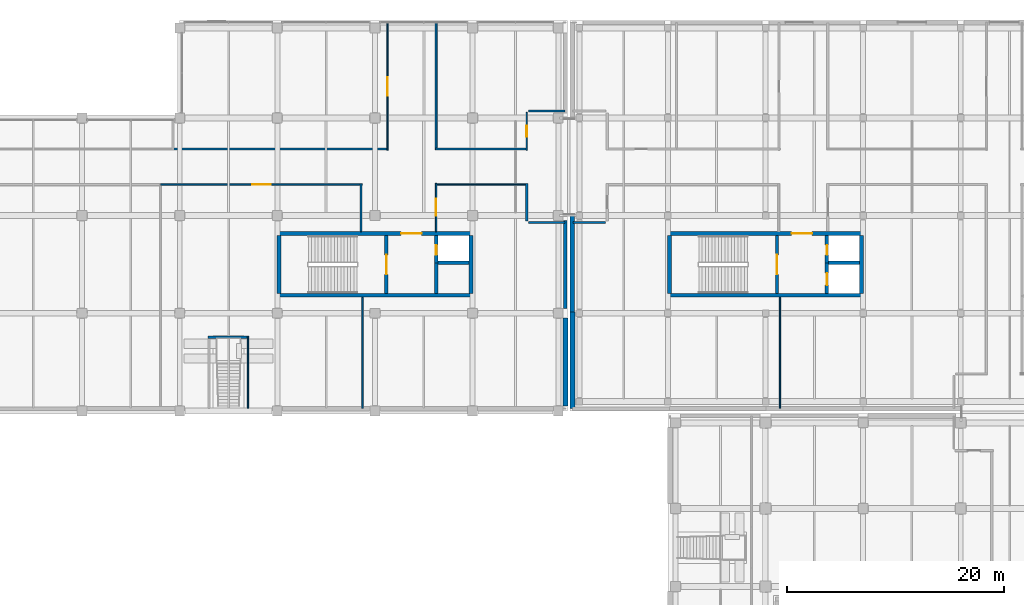
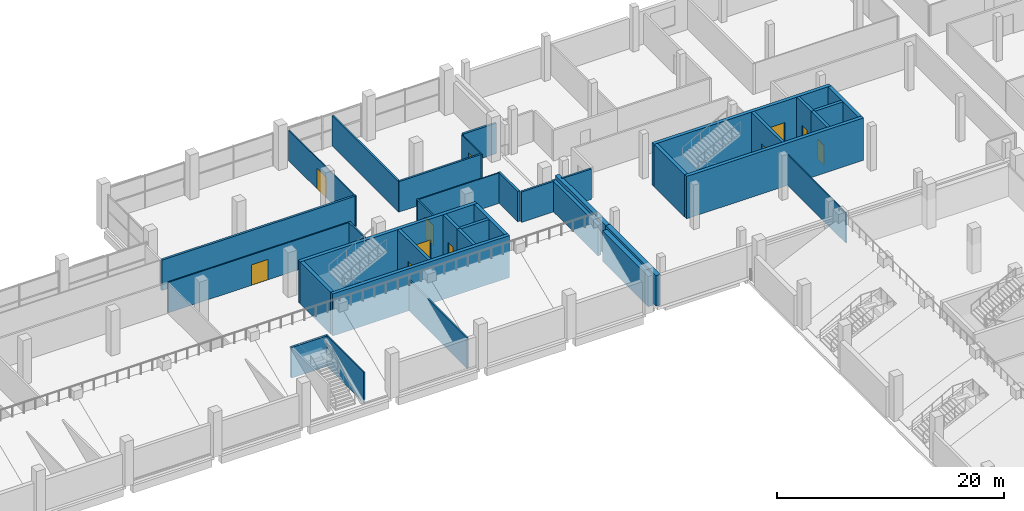
# One storey, part 69 of 100: 37 walls, 11 doors, 11 openings.
"""IFC4 building model written with IfcOpenShell, lengths in metres."""

from ifc_helpers import new_model, si_unit, direction, frame, frame_2d, origin, place, context, subcontext, project, spatial, rectangle, extrude, material, layer, layer_set, type_object, element, fill, save


model = new_model("IFC4")

# Units and contexts
model_context = context("Model", 3, precision=1e-05, world=origin(), true_north=direction((0.0, 1.0)))
body_context = subcontext(model_context, "Body", "Model", "MODEL_VIEW")
ifc_project = project(units=[si_unit("LENGTHUNIT", "METRE"), si_unit("AREAUNIT", "SQUARE_METRE"), si_unit("VOLUMEUNIT", "CUBIC_METRE"), si_unit("PLANEANGLEUNIT", "RADIAN"), si_unit("MASSUNIT", "GRAM", prefix="KILO"), si_unit("THERMODYNAMICTEMPERATUREUNIT", "KELVIN"), si_unit("POWERUNIT", "WATT")], contexts=[model_context])

# Site, building, storey
site_placement = place(None, origin())
site = spatial("IfcSite", under=ifc_project, at=site_placement, CompositionType="ELEMENT")
building_placement = place(site_placement, origin())
building = spatial("IfcBuilding", under=site, at=building_placement, Name="Sindhuravela Promenade Stadium", CompositionType="ELEMENT")
storey_placement = place(building_placement, frame((0.0, 0.0, 4.800048828125)))
storey = spatial("IfcBuildingStorey", under=building, at=storey_placement, Name="L01", CompositionType="ELEMENT", Elevation=4.800048828125)

# Walls
ifc_material_1 = material(Name="Terracotta clay brick masonry (15 MPa)", Category="masonry")
ifc_layer_1 = layer(ifc_material_1, 0.340087890625)
ifc_layer_set_1 = layer_set([ifc_layer_1], Name="Terracotta clay brick masonry (15 MPa)")
wall_type_1 = type_object("IfcWallType", Name="EX-WL-BRK340", PredefinedType="SOLIDWALL", material=ifc_layer_set_1)
wall_1_placement = place(storey_placement, frame((161.550048828125, 143.544921875, 0.0), z_axis=(0.0, 0.0, 1.0), x_axis=(0.0, -1.0, 0.0)))
element("IfcWall", 1, at=wall_1_placement, inside=storey, type_object=wall_type_1, Name="Exterior masonry wall EW06 NORTH L01", PredefinedType="SOLIDWALL", context=body_context, shape_type="SweptSolid", body=[
    extrude(rectangle(XDim=8.08984375, YDim=0.340087890625, at=frame_2d((4.044921875, 0.0))), origin(), (0.0, 0.0, 1.0), 3.280029296875),
])
ifc_layer_2 = layer(ifc_material_1, 0.419921875)
ifc_layer_set_2 = layer_set([ifc_layer_2], Name="Terracotta clay brick masonry (15 MPa)")
wall_type_2 = type_object("IfcWallType", Name="EX-WL-BRK420", PredefinedType="SOLIDWALL", material=ifc_layer_set_2)
wall_2_placement = place(storey_placement, frame((162.199951171875, 135.10009765625, 0.0), z_axis=(0.0, 0.0, 1.0), x_axis=(0.0, 1.0, 0.0)))
element("IfcWall", 2, at=wall_2_placement, inside=storey, type_object=wall_type_2, Name="Exterior masonry wall EW02 Pavilion NE L01", PredefinedType="SOLIDWALL", context=body_context, shape_type="SweptSolid", body=[
    extrude(rectangle(XDim=8.89990234375, YDim=0.419921875, at=frame_2d((4.449951171875, 0.0))), origin(), (0.0, 0.0, 1.0), 3.280029296875),
])
ifc_layer_3 = layer(ifc_material_1, 0.4599609375)
ifc_layer_set_3 = layer_set([ifc_layer_3], Name="Terracotta clay brick masonry (15 MPa)")
wall_type_3 = type_object("IfcWallType", Name="EX-WL-BRK460", PredefinedType="SOLIDWALL", material=ifc_layer_set_3)
wall_3_placement = place(storey_placement, frame((161.550048828125, 134.544921875, 0.0), z_axis=(0.0, 0.0, 1.0), x_axis=(0.0, -1.0, 0.0)))
element("IfcWall", 3, at=wall_3_placement, inside=storey, type_object=wall_type_3, Name="Exterior masonry wall EW01 NORTH L01", PredefinedType="SOLIDWALL", context=body_context, shape_type="SweptSolid", body=[
    extrude(rectangle(XDim=8.08984375, YDim=0.4599609375, at=frame_2d((4.044921875, 0.0))), origin(), (0.0, 0.0, 1.0), 3.280029296875),
])
wall_4_placement = place(storey_placement, frame((162.199951171875, 126.199951171875, 0.0), z_axis=(0.0, 0.0, 1.0), x_axis=(0.0, 1.0, 0.0)))
element("IfcWall", 4, at=wall_4_placement, inside=storey, type_object=wall_type_3, Name="Exterior masonry wall EW01 Pavilion NE L01", PredefinedType="SOLIDWALL", context=body_context, shape_type="SweptSolid", body=[
    extrude(rectangle(XDim=8.900146484375, YDim=0.4599609375, at=frame_2d((4.4501953125, 0.0))), origin(), (0.0, 0.0, 1.0), 3.280029296875),
])
ifc_material_2 = material(Name="Fire-rated gypsum partition board", Category="gypsum")
ifc_layer_4 = layer(ifc_material_2, 0.110107421875)
ifc_layer_set_4 = layer_set([ifc_layer_4], Name="Fire-rated gypsum partition board")
wall_type_4 = type_object("IfcWallType", Name="IN-WL-PAR110", PredefinedType="PARTITIONING", material=ifc_layer_set_4)
wall_5_placement = place(storey_placement, frame((132.300048828125, 126.239990234375, 0.0), z_axis=(0.0, 0.0, 1.0), x_axis=(0.0, 1.0, 0.0)))
element("IfcWall", 5, at=wall_5_placement, inside=storey, type_object=wall_type_4, Name="Interior partition IW06 NORTH L01", PredefinedType="PARTITIONING", context=body_context, shape_type="SweptSolid", body=[
    extrude(rectangle(XDim=6.639892578125, YDim=0.110107421875, at=frame_2d((3.31982421875, 0.0))), origin(), (0.0, 0.0, 1.0), 3.280029296875),
])
wall_6_placement = place(storey_placement, frame((149.56005859375, 146.860107421875, 0.0), z_axis=(0.0, 0.0, 1.0), x_axis=(1.0, 0.0, 0.0)))
element("IfcWall", 6, at=wall_6_placement, inside=storey, type_object=wall_type_4, Name="Interior partition IW06 NORTH L01", PredefinedType="PARTITIONING", context=body_context, shape_type="SweptSolid", body=[
    extrude(rectangle(XDim=8.510009765625, YDim=0.110107421875, at=frame_2d((4.2548828125, 0.0))), origin(), (0.0, 0.0, 1.0), 3.280029296875),
])

# Wall, opening, door
wall_7_placement = place(storey_placement, frame((145.159912109375, 150.02001953125, 0.0), z_axis=(0.0, 0.0, 1.0), x_axis=(0.0, 1.0, 0.0)))
wall_7 = element("IfcWall", 7, at=wall_7_placement, inside=storey, type_object=wall_type_4, Name="Corridor partition IW06 Accessible WC North L01", PredefinedType="PARTITIONING", context=body_context, shape_type="SweptSolid", body=[
    extrude(rectangle(XDim=11.780029296875, YDim=0.110107421875, at=frame_2d((5.89013671875, 0.0))), origin(), (0.0, 0.0, 1.0), 3.280029296875),
])
opening_1_placement = place(wall_7_placement, frame((5.0400390625, 0.0, 0.0)))
opening_1 = element("IfcOpeningElement", 8, at=opening_1_placement, cuts=wall_7, Name="Opening ID01", PredefinedType="OPENING", context=body_context, shape_type="SweptSolid", body=[
    extrude(rectangle(XDim=1.699951171875, YDim=2.199951171875, at=frame_2d((0.85009765625, 1.10009765625))), frame((0.0, 0.06494140625, 0.0), z_axis=(0.0, -1.0, 0.0), x_axis=(1.0, 0.0, 0.0)), (0.0, 0.0, 1.0), 0.130126953125),
])
ifc_material_3 = material(Name="Architectural teak timber leaf", Category="wood")
door_type_1 = type_object("IfcDoorType", Name="DR-INT-1700x2200", OperationType="DOUBLE_DOOR_SINGLE_SWING", PredefinedType="DOOR", material=ifc_material_3)
door_1_placement = place(opening_1_placement, origin())
door_1 = element("IfcDoor", 9, at=door_1_placement, inside=storey, type_object=door_type_1, Name="Accessible WC North L01 door", OperationType="DOUBLE_DOOR_SINGLE_SWING", OverallHeight=2.199951171875, OverallWidth=1.699951171875, PredefinedType="DOOR", context=body_context, shape_type="SweptSolid", body=[
    extrude(rectangle(XDim=1.699951171875, YDim=2.199951171875, at=frame_2d((0.85009765625, 1.10009765625))), frame((0.0, 0.02490234375, 0.0), z_axis=(0.0, -1.0, 0.0), x_axis=(1.0, 0.0, 0.0)), (0.0, 0.0, 1.0), 0.050048828125),
])
fill(opening_1, door_1)

wall_8_placement = place(storey_placement, frame((157.989990234375, 150.02001953125, 0.0), z_axis=(0.0, 0.0, 1.0), x_axis=(0.0, 1.0, 0.0)))
wall_8 = element("IfcWall", 10, at=wall_8_placement, inside=storey, type_object=wall_type_4, Name="Corridor partition IW06 North Lower Concourse Hall 2", PredefinedType="PARTITIONING", context=body_context, shape_type="SweptSolid", body=[
    extrude(rectangle(XDim=3.5, YDim=0.110107421875, at=frame_2d((1.75, 0.0))), origin(), (0.0, 0.0, 1.0), 3.280029296875),
])
opening_2_placement = place(wall_8_placement, frame((1.25, 0.0, 0.0)))
opening_2 = element("IfcOpeningElement", 11, at=opening_2_placement, cuts=wall_8, Name="Opening ID08", PredefinedType="OPENING", context=body_context, shape_type="SweptSolid", body=[
    extrude(rectangle(XDim=1.0, YDim=2.10009765625, at=frame_2d((0.5, 1.050048828125))), frame((0.0, 0.06494140625, 0.0), z_axis=(0.0, -1.0, 0.0), x_axis=(1.0, 0.0, 0.0)), (0.0, 0.0, 1.0), 0.130126953125),
])
door_type_2 = type_object("IfcDoorType", Name="DR-INT-1000x2100", OperationType="NOTDEFINED", PredefinedType="DOOR", material=ifc_material_3)
door_2_placement = place(opening_2_placement, origin())
door_2 = element("IfcDoor", 12, at=door_2_placement, inside=storey, type_object=door_type_2, Name="North Lower Concourse Hall 2 door", OperationType="SINGLE_SWING_RIGHT", OverallHeight=2.10009765625, OverallWidth=1.0, PredefinedType="DOOR", context=body_context, shape_type="SweptSolid", body=[
    extrude(rectangle(XDim=1.0, YDim=2.10009765625, at=frame_2d((0.5, 1.050048828125))), frame((0.0, 0.02490234375, 0.0), z_axis=(0.0, -1.0, 0.0), x_axis=(1.0, 0.0, 0.0)), (0.0, 0.0, 1.0), 0.050048828125),
])
fill(opening_2, door_2)

# Wall
wall_9_placement = place(storey_placement, frame((181.340087890625, 126.239990234375, 0.0), z_axis=(0.0, 0.0, 1.0), x_axis=(0.0, 1.0, 0.0)))
element("IfcWall", 13, at=wall_9_placement, inside=storey, type_object=wall_type_4, Name="Interior partition IW06 Pavilion NE L01", PredefinedType="PARTITIONING", context=body_context, shape_type="SweptSolid", body=[
    extrude(rectangle(XDim=10.23291015625, YDim=0.110107421875, at=frame_2d((5.116455078125, 0.0))), origin(), (0.0, 0.0, 1.0), 3.280029296875),
])

# Wall, opening, door
ifc_layer_5 = layer(ifc_material_2, 0.1298828125)
ifc_layer_set_5 = layer_set([ifc_layer_5], Name="Fire-rated gypsum partition board")
wall_type_5 = type_object("IfcWallType", Name="IN-WL-PAR130", PredefinedType="PARTITIONING", material=ifc_layer_set_5)
wall_10_placement = place(storey_placement, frame((142.833251953125, 146.860107421875, 0.0), z_axis=(0.0, 0.0, 1.0), x_axis=(-1.0, 0.0, 0.0)))
wall_10 = element("IfcWall", 14, at=wall_10_placement, inside=storey, type_object=wall_type_5, Name="Corridor partition IW05 Concourse Beverage Kiosk North B", PredefinedType="PARTITIONING", context=body_context, shape_type="SweptSolid", body=[
    extrude(rectangle(XDim=18.596435546875, YDim=0.1298828125, at=frame_2d((9.29833984375, 0.0))), origin(), (0.0, 0.0, 1.0), 3.280029296875),
])
opening_3_placement = place(wall_10_placement, frame((8.4482421875, 0.0, 0.0)))
opening_3 = element("IfcOpeningElement", 15, at=opening_3_placement, cuts=wall_10, Name="Opening ID01", PredefinedType="OPENING", context=body_context, shape_type="SweptSolid", body=[
    extrude(rectangle(XDim=1.699951171875, YDim=2.199951171875, at=frame_2d((0.85009765625, 1.10009765625))), frame((0.0, 0.074951171875, 0.0), z_axis=(0.0, -1.0, 0.0), x_axis=(1.0, 0.0, 0.0)), (0.0, 0.0, 1.0), 0.14990234375),
])
door_3_placement = place(opening_3_placement, origin())
door_3 = element("IfcDoor", 16, at=door_3_placement, inside=storey, type_object=door_type_1, Name="Concourse Beverage Kiosk North B door", OperationType="DOUBLE_DOOR_SINGLE_SWING", OverallHeight=2.199951171875, OverallWidth=1.699951171875, PredefinedType="DOOR", context=body_context, shape_type="SweptSolid", body=[
    extrude(rectangle(XDim=1.699951171875, YDim=2.199951171875, at=frame_2d((0.85009765625, 1.10009765625))), frame((0.0, 0.02490234375, 0.0), z_axis=(0.0, -1.0, 0.0), x_axis=(1.0, 0.0, 0.0)), (0.0, 0.0, 1.0), 0.050048828125),
])
fill(opening_3, door_3)

wall_11_placement = place(storey_placement, frame((149.639892578125, 146.97998046875, 0.0), z_axis=(0.0, 0.0, 1.0), x_axis=(0.0, -1.0, 0.0)))
wall_11 = element("IfcWall", 17, at=wall_11_placement, inside=storey, type_object=wall_type_5, Name="Corridor partition IW05 North Family Supporters Lounge", PredefinedType="PARTITIONING", context=body_context, shape_type="SweptSolid", body=[
    extrude(rectangle(XDim=4.452880859375, YDim=0.1298828125, at=frame_2d((2.2265625, 0.0))), origin(), (0.0, 0.0, 1.0), 3.280029296875),
])
opening_4_placement = place(wall_11_placement, frame((1.425048828125, 0.0, 0.0)))
opening_4 = element("IfcOpeningElement", 18, at=opening_4_placement, cuts=wall_11, Name="Opening ID02", PredefinedType="OPENING", context=body_context, shape_type="SweptSolid", body=[
    extrude(rectangle(XDim=1.550048828125, YDim=2.199951171875, at=frame_2d((0.77490234375, 1.10009765625))), frame((0.0, 0.074951171875, 0.0), z_axis=(0.0, -1.0, 0.0), x_axis=(1.0, 0.0, 0.0)), (0.0, 0.0, 1.0), 0.14990234375),
])
door_type_3 = type_object("IfcDoorType", Name="DR-INT-1550x2200", OperationType="DOUBLE_DOOR_SINGLE_SWING", PredefinedType="DOOR", material=ifc_material_3)
door_4_placement = place(opening_4_placement, origin())
door_4 = element("IfcDoor", 19, at=door_4_placement, inside=storey, type_object=door_type_3, Name="North Family Supporters Lounge door", OperationType="DOUBLE_DOOR_SINGLE_SWING", OverallHeight=2.199951171875, OverallWidth=1.550048828125, PredefinedType="DOOR", context=body_context, shape_type="SweptSolid", body=[
    extrude(rectangle(XDim=1.550048828125, YDim=2.199951171875, at=frame_2d((0.77490234375, 1.10009765625))), frame((0.0, 0.02490234375, 0.0), z_axis=(0.0, -1.0, 0.0), x_axis=(1.0, 0.0, 0.0)), (0.0, 0.0, 1.0), 0.050048828125),
])
fill(opening_4, door_4)

# Walls
ifc_layer_6 = layer(ifc_material_2, 0.14990234375)
ifc_layer_set_6 = layer_set([ifc_layer_6], Name="Fire-rated gypsum partition board")
wall_type_6 = type_object("IfcWallType", Name="IN-WL-PAR150", PredefinedType="PARTITIONING", material=ifc_layer_set_6)
wall_12_placement = place(storey_placement, frame((142.833251953125, 136.472900390625, 0.0), z_axis=(0.0, 0.0, 1.0), x_axis=(0.0, -1.0, 0.0)))
element("IfcWall", 20, at=wall_12_placement, inside=storey, type_object=wall_type_6, Name="Interior partition IW04 NORTH L01", PredefinedType="PARTITIONING", context=body_context, shape_type="SweptSolid", body=[
    extrude(rectangle(XDim=10.23291015625, YDim=0.14990234375, at=frame_2d((5.116455078125, 0.0))), origin(), (0.0, 0.0, 1.0), 3.280029296875),
])
ifc_layer_7 = layer(ifc_material_2, 0.175048828125)
ifc_layer_set_7 = layer_set([ifc_layer_7], Name="Fire-rated gypsum partition board")
wall_type_7 = type_object("IfcWallType", Name="IN-WL-PAR175", PredefinedType="PARTITIONING", material=ifc_layer_set_7)
wall_13_placement = place(storey_placement, frame((142.71337890625, 146.93994140625, 0.0), z_axis=(0.0, 0.0, 1.0), x_axis=(0.0, -1.0, 0.0)))
element("IfcWall", 21, at=wall_13_placement, inside=storey, type_object=wall_type_7, Name="Interior partition IW03 NORTH L01", PredefinedType="PARTITIONING", context=body_context, shape_type="SweptSolid", body=[
    extrude(rectangle(XDim=4.412841796875, YDim=0.175048828125, at=frame_2d((2.20654296875, 0.0))), origin(), (0.0, 0.0, 1.0), 3.280029296875),
])
wall_14_placement = place(storey_placement, frame((149.639892578125, 150.06005859375, 0.0), z_axis=(0.0, 0.0, 1.0), x_axis=(0.0, 1.0, 0.0)))
element("IfcWall", 22, at=wall_14_placement, inside=storey, type_object=wall_type_7, Name="Interior partition IW03 NORTH L01", PredefinedType="PARTITIONING", context=body_context, shape_type="SweptSolid", body=[
    extrude(rectangle(XDim=11.70703125, YDim=0.175048828125, at=frame_2d((5.853515625, 0.0))), origin(), (0.0, 0.0, 1.0), 3.280029296875),
])
ifc_layer_8 = layer(ifc_material_2, 0.195068359375)
ifc_layer_set_8 = layer_set([ifc_layer_8], Name="Fire-rated gypsum partition board")
wall_type_8 = type_object("IfcWallType", Name="IN-WL-PAR195", PredefinedType="PARTITIONING", material=ifc_layer_set_8)
wall_15_placement = place(storey_placement, frame((158.14990234375, 143.360107421875, 0.0), z_axis=(0.0, 0.0, 1.0), x_axis=(1.0, 0.0, 0.0)))
element("IfcWall", 23, at=wall_15_placement, inside=storey, type_object=wall_type_8, Name="Interior partition IW02 NORTH L01", PredefinedType="PARTITIONING", context=body_context, shape_type="SweptSolid", body=[
    extrude(rectangle(XDim=3.360107421875, YDim=0.195068359375, at=frame_2d((1.68017578125, 0.0))), origin(), (0.0, 0.0, 1.0), 3.280029296875),
])
wall_16_placement = place(storey_placement, frame((158.070068359375, 150.139892578125, 0.0), z_axis=(0.0, 0.0, 1.0), x_axis=(-1.0, 0.0, 0.0)))
element("IfcWall", 24, at=wall_16_placement, inside=storey, type_object=wall_type_8, Name="Interior partition IW02 NORTH L01", PredefinedType="PARTITIONING", context=body_context, shape_type="SweptSolid", body=[
    extrude(rectangle(XDim=8.510009765625, YDim=0.195068359375, at=frame_2d((4.2548828125, 0.0))), origin(), (0.0, 0.0, 1.0), 3.280029296875),
])
wall_17_placement = place(storey_placement, frame((162.239990234375, 143.360107421875, 0.0), z_axis=(0.0, 0.0, 1.0), x_axis=(1.0, 0.0, 0.0)))
element("IfcWall", 25, at=wall_17_placement, inside=storey, type_object=wall_type_8, Name="Interior partition IW02 Pavilion NE L01", PredefinedType="PARTITIONING", context=body_context, shape_type="SweptSolid", body=[
    extrude(rectangle(XDim=3.010009765625, YDim=0.195068359375, at=frame_2d((1.5048828125, 0.0))), origin(), (0.0, 0.0, 1.0), 3.280029296875),
])
ifc_layer_9 = layer(ifc_material_2, 0.219970703125)
ifc_layer_set_9 = layer_set([ifc_layer_9], Name="Fire-rated gypsum partition board")
wall_type_9 = type_object("IfcWallType", Name="IN-WL-PAR220", PredefinedType="PARTITIONING", material=ifc_layer_set_9)
wall_18_placement = place(storey_placement, frame((132.3798828125, 132.800048828125, 0.0), z_axis=(0.0, 0.0, 1.0), x_axis=(-1.0, 0.0, 0.0)))
element("IfcWall", 26, at=wall_18_placement, inside=storey, type_object=wall_type_9, Name="Interior partition IW01 NORTH L01", PredefinedType="PARTITIONING", context=body_context, shape_type="SweptSolid", body=[
    extrude(rectangle(XDim=3.759765625, YDim=0.219970703125, at=frame_2d((1.8798828125, 0.0))), origin(), (0.0, 0.0, 1.0), 3.280029296875),
])
wall_19_placement = place(storey_placement, frame((157.989990234375, 146.93994140625, 0.0), z_axis=(0.0, 0.0, 1.0), x_axis=(0.0, -1.0, 0.0)))
element("IfcWall", 27, at=wall_19_placement, inside=storey, type_object=wall_type_9, Name="Interior partition IW01 NORTH L01", PredefinedType="PARTITIONING", context=body_context, shape_type="SweptSolid", body=[
    extrude(rectangle(XDim=3.419921875, YDim=0.219970703125, at=frame_2d((1.7099609375, 0.0))), origin(), (0.0, 0.0, 1.0), 3.280029296875),
])
wall_20_placement = place(storey_placement, frame((145.239990234375, 150.139892578125, 0.0), z_axis=(0.0, 0.0, 1.0), x_axis=(-1.0, 0.0, 0.0)))
element("IfcWall", 28, at=wall_20_placement, inside=storey, type_object=wall_type_9, Name="Interior partition IW01 NORTH L01", PredefinedType="PARTITIONING", context=body_context, shape_type="SweptSolid", body=[
    extrude(rectangle(XDim=19.800048828125, YDim=0.219970703125, at=frame_2d((9.89990234375, 0.0))), origin(), (0.0, 0.0, 1.0), 3.280029296875),
])
wall_21_placement = place(storey_placement, frame((161.510009765625, 153.639892578125, 0.0), z_axis=(0.0, 0.0, 1.0), x_axis=(-1.0, 0.0, 0.0)))
element("IfcWall", 29, at=wall_21_placement, inside=storey, type_object=wall_type_9, Name="Interior partition IW01 NORTH L01", PredefinedType="PARTITIONING", context=body_context, shape_type="SweptSolid", body=[
    extrude(rectangle(XDim=3.360107421875, YDim=0.219970703125, at=frame_2d((1.68017578125, 0.0))), origin(), (0.0, 0.0, 1.0), 3.280029296875),
])

# Wall, opening, door
ifc_material_4 = material(Name="Concrete M50", Category="concrete")
ifc_layer_10 = layer(ifc_material_4, 0.300048828125)
ifc_layer_set_10 = layer_set([ifc_layer_10], Name="Concrete M50")
wall_type_10 = type_object("IfcWallType", Name="RC-SW-300", PredefinedType="SHEAR", material=ifc_layer_set_10)
wall_22_placement = place(storey_placement, frame((145.050048828125, 136.824951171875, 0.0), z_axis=(0.0, 0.0, 1.0), x_axis=(0.0, 1.0, 0.0)))
wall_22 = element("IfcWall", 30, at=wall_22_placement, inside=storey, type_object=wall_type_10, Name="Core shear wall C10-ST (L01)", PredefinedType="SHEAR", context=body_context, shape_type="SweptSolid", body=[
    extrude(rectangle(XDim=5.35009765625, YDim=0.300048828125, at=frame_2d((2.675048828125, 0.0))), origin(), (0.0, 0.0, 1.0), 4.52001953125),
])
opening_5_placement = place(wall_22_placement, frame((1.75, 0.0, 0.0)))
opening_5 = element("IfcOpeningElement", 31, at=opening_5_placement, cuts=wall_22, Name="Opening FD01", PredefinedType="OPENING", context=body_context, shape_type="SweptSolid", body=[
    extrude(rectangle(XDim=1.800048828125, YDim=2.25, at=frame_2d((0.89990234375, 1.125))), frame((0.0, 0.159912109375, 0.0), z_axis=(0.0, -1.0, 0.0), x_axis=(1.0, 0.0, 0.0)), (0.0, 0.0, 1.0), 0.320068359375),
])
ifc_material_5 = material(Name="Architectural wrought steel E350", Category="steel")
door_type_4 = type_object("IfcDoorType", Name="DR-CORE-1800x2250", OperationType="DOUBLE_DOOR_SINGLE_SWING", PredefinedType="DOOR", material=ifc_material_5)
door_5_placement = place(opening_5_placement, origin())
door_5 = element("IfcDoor", 32, at=door_5_placement, inside=storey, type_object=door_type_4, Name="Stair ST10 lobby fire door (L01)", OperationType="DOUBLE_DOOR_SINGLE_SWING", OverallHeight=2.25, OverallWidth=1.800048828125, PredefinedType="DOOR", context=body_context, shape_type="SweptSolid", body=[
    extrude(rectangle(XDim=1.800048828125, YDim=2.25, at=frame_2d((0.89990234375, 1.125))), frame((0.0, 0.02490234375, 0.0), z_axis=(0.0, -1.0, 0.0), x_axis=(1.0, 0.0, 0.0)), (0.0, 0.0, 1.0), 0.050048828125),
])
fill(opening_5, door_5)

# Wall
wall_23_placement = place(storey_placement, frame((149.64990234375, 136.824951171875, 0.0), z_axis=(0.0, 0.0, 1.0), x_axis=(0.0, 1.0, 0.0)))
element("IfcWall", 33, at=wall_23_placement, inside=storey, type_object=wall_type_10, Name="Core shear wall C10-LFT (L01)", PredefinedType="SHEAR", context=body_context, shape_type="SweptSolid", body=[
    extrude(rectangle(XDim=2.824951171875, YDim=0.300048828125, at=frame_2d((1.41259765625, 0.0))), origin(), (0.0, 0.0, 1.0), 4.52001953125),
])

# Wall, opening, door
wall_24_placement = place(storey_placement, frame((149.64990234375, 139.64990234375, 0.0), z_axis=(0.0, 0.0, 1.0), x_axis=(0.0, 1.0, 0.0)))
wall_24 = element("IfcWall", 34, at=wall_24_placement, inside=storey, type_object=wall_type_10, Name="Core shear wall C10-RSR (L01)", PredefinedType="SHEAR", context=body_context, shape_type="SweptSolid", body=[
    extrude(rectangle(XDim=2.525146484375, YDim=0.300048828125, at=frame_2d((1.2626953125, 0.0))), origin(), (0.0, 0.0, 1.0), 4.52001953125),
])
opening_6_placement = place(wall_24_placement, frame((0.72509765625, 0.0, 0.0)))
opening_6 = element("IfcOpeningElement", 35, at=opening_6_placement, cuts=wall_24, Name="Opening FD03", PredefinedType="OPENING", context=body_context, shape_type="SweptSolid", body=[
    extrude(rectangle(XDim=0.89990234375, YDim=2.10009765625, at=frame_2d((0.449951171875, 1.050048828125))), frame((0.0, 0.159912109375, 0.0), z_axis=(0.0, -1.0, 0.0), x_axis=(1.0, 0.0, 0.0)), (0.0, 0.0, 1.0), 0.320068359375),
])
door_type_5 = type_object("IfcDoorType", Name="DR-RSR-900x2100", OperationType="NOTDEFINED", PredefinedType="DOOR", material=ifc_material_5)
door_6_placement = place(opening_6_placement, origin())
door_6 = element("IfcDoor", 36, at=door_6_placement, inside=storey, type_object=door_type_5, Name="Riser shaft access door C10 (L01)", OperationType="SINGLE_SWING_RIGHT", OverallHeight=2.10009765625, OverallWidth=0.89990234375, PredefinedType="DOOR", context=body_context, shape_type="SweptSolid", body=[
    extrude(rectangle(XDim=0.89990234375, YDim=2.10009765625, at=frame_2d((0.449951171875, 1.050048828125))), frame((0.0, 0.02490234375, 0.0), z_axis=(0.0, -1.0, 0.0), x_axis=(1.0, 0.0, 0.0)), (0.0, 0.0, 1.0), 0.050048828125),
])
fill(opening_6, door_6)

# Wall
wall_25_placement = place(storey_placement, frame((149.800048828125, 139.64990234375, 0.0), z_axis=(0.0, 0.0, 1.0), x_axis=(1.0, 0.0, 0.0)))
element("IfcWall", 37, at=wall_25_placement, inside=storey, type_object=wall_type_10, Name="Core shear wall C10-DIV (L01)", PredefinedType="SHEAR", context=body_context, shape_type="SweptSolid", body=[
    extrude(rectangle(XDim=2.875, YDim=0.300048828125, at=frame_2d((1.4375, 0.0))), origin(), (0.0, 0.0, 1.0), 4.52001953125),
])

# Wall, opening, door
wall_26_placement = place(storey_placement, frame((181.050048828125, 136.824951171875, 0.0), z_axis=(0.0, 0.0, 1.0), x_axis=(0.0, 1.0, 0.0)))
wall_26 = element("IfcWall", 38, at=wall_26_placement, inside=storey, type_object=wall_type_10, Name="Core shear wall C16-ST (L01)", PredefinedType="SHEAR", context=body_context, shape_type="SweptSolid", body=[
    extrude(rectangle(XDim=5.35009765625, YDim=0.300048828125, at=frame_2d((2.675048828125, 0.0))), origin(), (0.0, 0.0, 1.0), 4.56494140625),
])
opening_7_placement = place(wall_26_placement, frame((1.75, 0.0, 0.0)))
opening_7 = element("IfcOpeningElement", 39, at=opening_7_placement, cuts=wall_26, Name="Opening FD01", PredefinedType="OPENING", context=body_context, shape_type="SweptSolid", body=[
    extrude(rectangle(XDim=1.800048828125, YDim=2.25, at=frame_2d((0.89990234375, 1.125))), frame((0.0, 0.159912109375, 0.0), z_axis=(0.0, -1.0, 0.0), x_axis=(1.0, 0.0, 0.0)), (0.0, 0.0, 1.0), 0.320068359375),
])
door_7_placement = place(opening_7_placement, origin())
door_7 = element("IfcDoor", 40, at=door_7_placement, inside=storey, type_object=door_type_4, Name="Stair GS04 lobby fire door (L01)", OperationType="DOUBLE_DOOR_SINGLE_SWING", OverallHeight=2.25, OverallWidth=1.800048828125, PredefinedType="DOOR", context=body_context, shape_type="SweptSolid", body=[
    extrude(rectangle(XDim=1.800048828125, YDim=2.25, at=frame_2d((0.89990234375, 1.125))), frame((0.0, 0.02490234375, 0.0), z_axis=(0.0, -1.0, 0.0), x_axis=(1.0, 0.0, 0.0)), (0.0, 0.0, 1.0), 0.050048828125),
])
fill(opening_7, door_7)

wall_27_placement = place(storey_placement, frame((185.64990234375, 136.824951171875, 0.0), z_axis=(0.0, 0.0, 1.0), x_axis=(0.0, 1.0, 0.0)))
wall_27 = element("IfcWall", 41, at=wall_27_placement, inside=storey, type_object=wall_type_10, Name="Core shear wall C16-LFT (L01)", PredefinedType="SHEAR", context=body_context, shape_type="SweptSolid", body=[
    extrude(rectangle(XDim=2.824951171875, YDim=0.300048828125, at=frame_2d((1.41259765625, 0.0))), origin(), (0.0, 0.0, 1.0), 4.56494140625),
])
opening_8_placement = place(wall_27_placement, frame((0.77490234375, 0.0, 0.0)))
opening_8 = element("IfcOpeningElement", 42, at=opening_8_placement, cuts=wall_27, Name="Opening LD", PredefinedType="OPENING", context=body_context, shape_type="SweptSolid", body=[
    extrude(rectangle(XDim=1.10009765625, YDim=2.10009765625, at=frame_2d((0.550048828125, 1.050048828125))), frame((0.0, 0.159912109375, 0.0), z_axis=(0.0, -1.0, 0.0), x_axis=(1.0, 0.0, 0.0)), (0.0, 0.0, 1.0), 0.320068359375),
])
door_type_6 = type_object("IfcDoorType", Name="DR-LFT-1100x2100", OperationType="DOUBLE_DOOR_SLIDING", PredefinedType="DOOR", material=ifc_material_5)
door_8_placement = place(opening_8_placement, origin())
door_8 = element("IfcDoor", 43, at=door_8_placement, inside=storey, type_object=door_type_6, Name="Lift PL08 landing door (L01)", OperationType="DOUBLE_DOOR_SLIDING", OverallHeight=2.10009765625, OverallWidth=1.10009765625, PredefinedType="DOOR", context=body_context, shape_type="SweptSolid", body=[
    extrude(rectangle(XDim=1.10009765625, YDim=2.10009765625, at=frame_2d((0.550048828125, 1.050048828125))), frame((0.0, 0.02490234375, 0.0), z_axis=(0.0, -1.0, 0.0), x_axis=(1.0, 0.0, 0.0)), (0.0, 0.0, 1.0), 0.050048828125),
])
fill(opening_8, door_8)

wall_28_placement = place(storey_placement, frame((185.64990234375, 139.64990234375, 0.0), z_axis=(0.0, 0.0, 1.0), x_axis=(0.0, 1.0, 0.0)))
wall_28 = element("IfcWall", 44, at=wall_28_placement, inside=storey, type_object=wall_type_10, Name="Core shear wall C16-RSR (L01)", PredefinedType="SHEAR", context=body_context, shape_type="SweptSolid", body=[
    extrude(rectangle(XDim=2.525146484375, YDim=0.300048828125, at=frame_2d((1.2626953125, 0.0))), origin(), (0.0, 0.0, 1.0), 4.56494140625),
])
opening_9_placement = place(wall_28_placement, frame((0.72509765625, 0.0, 0.0)))
opening_9 = element("IfcOpeningElement", 45, at=opening_9_placement, cuts=wall_28, Name="Opening FD03", PredefinedType="OPENING", context=body_context, shape_type="SweptSolid", body=[
    extrude(rectangle(XDim=0.89990234375, YDim=2.10009765625, at=frame_2d((0.449951171875, 1.050048828125))), frame((0.0, 0.159912109375, 0.0), z_axis=(0.0, -1.0, 0.0), x_axis=(1.0, 0.0, 0.0)), (0.0, 0.0, 1.0), 0.320068359375),
])
door_9_placement = place(opening_9_placement, origin())
door_9 = element("IfcDoor", 46, at=door_9_placement, inside=storey, type_object=door_type_5, Name="Riser shaft access door C16 (L01)", OperationType="SINGLE_SWING_RIGHT", OverallHeight=2.10009765625, OverallWidth=0.89990234375, PredefinedType="DOOR", context=body_context, shape_type="SweptSolid", body=[
    extrude(rectangle(XDim=0.89990234375, YDim=2.10009765625, at=frame_2d((0.449951171875, 1.050048828125))), frame((0.0, 0.02490234375, 0.0), z_axis=(0.0, -1.0, 0.0), x_axis=(1.0, 0.0, 0.0)), (0.0, 0.0, 1.0), 0.050048828125),
])
fill(opening_9, door_9)

# Walls
wall_29_placement = place(storey_placement, frame((185.800048828125, 139.64990234375, 0.0), z_axis=(0.0, 0.0, 1.0), x_axis=(1.0, 0.0, 0.0)))
element("IfcWall", 47, at=wall_29_placement, inside=storey, type_object=wall_type_10, Name="Core shear wall C16-DIV (L01)", PredefinedType="SHEAR", context=body_context, shape_type="SweptSolid", body=[
    extrude(rectangle(XDim=2.875, YDim=0.300048828125, at=frame_2d((1.4375, 0.0))), origin(), (0.0, 0.0, 1.0), 4.56494140625),
])
ifc_layer_11 = layer(ifc_material_4, 0.35009765625)
ifc_layer_set_11 = layer_set([ifc_layer_11], Name="Concrete M50")
wall_type_11 = type_object("IfcWallType", Name="RC-SW-350", PredefinedType="SHEAR", material=ifc_layer_set_11)
wall_30_placement = place(storey_placement, frame((135.0, 136.64990234375, 0.0), z_axis=(0.0, 0.0, 1.0), x_axis=(1.0, 0.0, 0.0)))
element("IfcWall", 48, at=wall_30_placement, inside=storey, type_object=wall_type_11, Name="Core shear wall C10-S (L01)", PredefinedType="SHEAR", context=body_context, shape_type="SweptSolid", body=[
    extrude(rectangle(XDim=18.0, YDim=0.35009765625, at=frame_2d((9.0, 0.0))), origin(), (0.0, 0.0, 1.0), 4.52001953125),
])

# Wall, opening, door
wall_31_placement = place(storey_placement, frame((153.0, 142.35009765625, 0.0), z_axis=(0.0, 0.0, 1.0), x_axis=(-1.0, 0.0, 0.0)))
wall_31 = element("IfcWall", 49, at=wall_31_placement, inside=storey, type_object=wall_type_11, Name="Core shear wall C10-N (L01)", PredefinedType="SHEAR", context=body_context, shape_type="SweptSolid", body=[
    extrude(rectangle(XDim=18.0, YDim=0.35009765625, at=frame_2d((9.0, 0.0))), origin(), (0.0, 0.0, 1.0), 4.52001953125),
])
opening_10_placement = place(wall_31_placement, frame((4.699951171875, 0.0, 0.0)))
opening_10 = element("IfcOpeningElement", 50, at=opening_10_placement, cuts=wall_31, Name="Opening FD02", PredefinedType="OPENING", context=body_context, shape_type="SweptSolid", body=[
    extrude(rectangle(XDim=1.89990234375, YDim=2.25, at=frame_2d((0.949951171875, 1.125))), frame((0.0, 0.18505859375, 0.0), z_axis=(0.0, -1.0, 0.0), x_axis=(1.0, 0.0, 0.0)), (0.0, 0.0, 1.0), 0.3701171875),
])
door_type_7 = type_object("IfcDoorType", Name="DR-LOB-1900x2250", OperationType="DOUBLE_DOOR_SINGLE_SWING", PredefinedType="DOOR", material=ifc_material_5)
door_10_placement = place(opening_10_placement, origin())
door_10 = element("IfcDoor", 51, at=door_10_placement, inside=storey, type_object=door_type_7, Name="Protected lobby entrance door C10 (L01)", OperationType="DOUBLE_DOOR_SINGLE_SWING", OverallHeight=2.25, OverallWidth=1.89990234375, PredefinedType="DOOR", context=body_context, shape_type="SweptSolid", body=[
    extrude(rectangle(XDim=1.89990234375, YDim=2.25, at=frame_2d((0.949951171875, 1.125))), frame((0.0, 0.02490234375, 0.0), z_axis=(0.0, -1.0, 0.0), x_axis=(1.0, 0.0, 0.0)), (0.0, 0.0, 1.0), 0.050048828125),
])
fill(opening_10, door_10)

# Walls
for number, where, z_axis, x_axis, name in (
    (52, (135.14990234375, 142.175048828125, 0.0), (0.0, 0.0, 1.0), (0.0, -1.0, 0.0), "Core shear wall C10-W (L01)"),
    (53, (152.85009765625, 136.824951171875, 0.0), (0.0, 0.0, 1.0), (0.0, 1.0, 0.0), "Core shear wall C10-E (L01)"),
):
    element("IfcWall", number, at=place(storey_placement, frame(where, z_axis=z_axis, x_axis=x_axis)), inside=storey, type_object=wall_type_11, Name=name, PredefinedType="SHEAR", context=body_context, shape_type="SweptSolid", body=[
        extrude(rectangle(XDim=5.35009765625, YDim=0.35009765625, at=frame_2d((2.675048828125, 0.0))), origin(), (0.0, 0.0, 1.0), 4.52001953125),
    ])
wall_32_placement = place(storey_placement, frame((171.0, 136.64990234375, 0.0), z_axis=(0.0, 0.0, 1.0), x_axis=(1.0, 0.0, 0.0)))
element("IfcWall", 54, at=wall_32_placement, inside=storey, type_object=wall_type_11, Name="Core shear wall C16-S (L01)", PredefinedType="SHEAR", context=body_context, shape_type="SweptSolid", body=[
    extrude(rectangle(XDim=18.0, YDim=0.35009765625, at=frame_2d((9.0, 0.0))), origin(), (0.0, 0.0, 1.0), 4.56494140625),
])

# Wall, opening, door
wall_33_placement = place(storey_placement, frame((189.0, 142.35009765625, 0.0), z_axis=(0.0, 0.0, 1.0), x_axis=(-1.0, 0.0, 0.0)))
wall_33 = element("IfcWall", 55, at=wall_33_placement, inside=storey, type_object=wall_type_11, Name="Core shear wall C16-N (L01)", PredefinedType="SHEAR", context=body_context, shape_type="SweptSolid", body=[
    extrude(rectangle(XDim=18.0, YDim=0.35009765625, at=frame_2d((9.0, 0.0))), origin(), (0.0, 0.0, 1.0), 4.56494140625),
])
opening_11_placement = place(wall_33_placement, frame((4.699951171875, 0.0, 0.0)))
opening_11 = element("IfcOpeningElement", 56, at=opening_11_placement, cuts=wall_33, Name="Opening FD02", PredefinedType="OPENING", context=body_context, shape_type="SweptSolid", body=[
    extrude(rectangle(XDim=1.89990234375, YDim=2.25, at=frame_2d((0.949951171875, 1.125))), frame((0.0, 0.18505859375, 0.0), z_axis=(0.0, -1.0, 0.0), x_axis=(1.0, 0.0, 0.0)), (0.0, 0.0, 1.0), 0.3701171875),
])
door_11_placement = place(opening_11_placement, origin())
door_11 = element("IfcDoor", 57, at=door_11_placement, inside=storey, type_object=door_type_7, Name="Protected lobby entrance door C16 (L01)", OperationType="DOUBLE_DOOR_SINGLE_SWING", OverallHeight=2.25, OverallWidth=1.89990234375, PredefinedType="DOOR", context=body_context, shape_type="SweptSolid", body=[
    extrude(rectangle(XDim=1.89990234375, YDim=2.25, at=frame_2d((0.949951171875, 1.125))), frame((0.0, 0.02490234375, 0.0), z_axis=(0.0, -1.0, 0.0), x_axis=(1.0, 0.0, 0.0)), (0.0, 0.0, 1.0), 0.050048828125),
])
fill(opening_11, door_11)

# Walls
for number, where, z_axis, x_axis, name in (
    (58, (171.14990234375, 142.175048828125, 0.0), (0.0, 0.0, 1.0), (0.0, -1.0, 0.0), "Core shear wall C16-W (L01)"),
    (59, (188.85009765625, 136.824951171875, 0.0), (0.0, 0.0, 1.0), (0.0, 1.0, 0.0), "Core shear wall C16-E (L01)"),
):
    element("IfcWall", number, at=place(storey_placement, frame(where, z_axis=z_axis, x_axis=x_axis)), inside=storey, type_object=wall_type_11, Name=name, PredefinedType="SHEAR", context=body_context, shape_type="SweptSolid", body=[
        extrude(rectangle(XDim=5.35009765625, YDim=0.35009765625, at=frame_2d((2.675048828125, 0.0))), origin(), (0.0, 0.0, 1.0), 4.56494140625),
    ])

save(model, "model.ifc")
